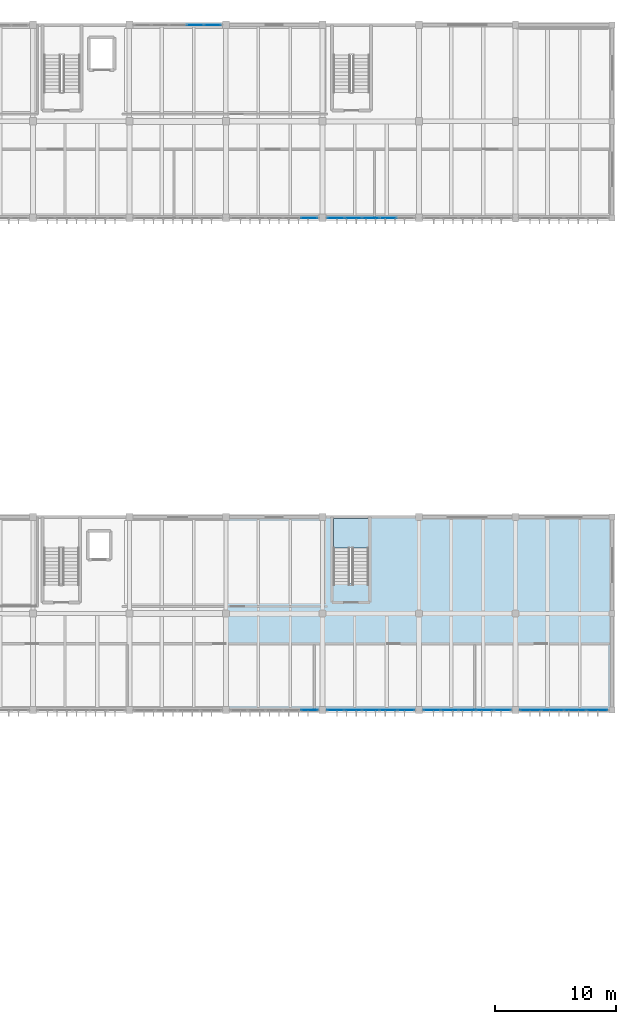
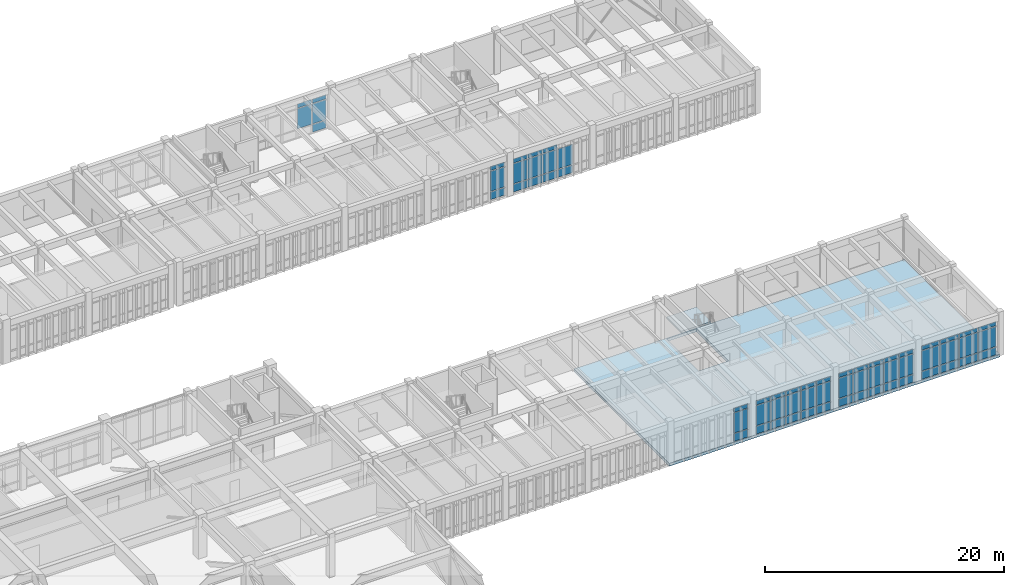
# One storey, part 44 of 79: 64 plates, 2 slabs, 8 elements without a shape of their own.
"""IFC4 building model written with IfcOpenShell, lengths in metres."""

from ifc_helpers import new_model, si_unit, direction, frame, origin, origin_2d, place, context, subcontext, project, spatial, polyline, rectangle, outline, extrude, material, layer, layer_set, type_object, element, aggregate, save


model = new_model("IFC4")

# Units and contexts
model_context = context("Model", 3, precision=1e-05, world=origin(), true_north=direction((0.0, 1.0)))
body_context = subcontext(model_context, "Body", "Model", "MODEL_VIEW")
ifc_project = project(units=[si_unit("LENGTHUNIT", "METRE"), si_unit("AREAUNIT", "SQUARE_METRE"), si_unit("VOLUMEUNIT", "CUBIC_METRE"), si_unit("PLANEANGLEUNIT", "RADIAN"), si_unit("MASSUNIT", "GRAM", prefix="KILO")], contexts=[model_context])

# Site, building, storey
site_placement = place(None, origin())
site = spatial("IfcSite", under=ifc_project, at=site_placement, CompositionType="ELEMENT")
building_placement = place(site_placement, origin())
building = spatial("IfcBuilding", under=site, at=building_placement, Name="Tlaxcora Railside Police Headquarters", CompositionType="ELEMENT")
storey_placement = place(building_placement, frame((0.0, 0.0, 9.0)))
storey = spatial("IfcBuildingStorey", under=building, at=storey_placement, Name="L02", CompositionType="ELEMENT", Elevation=9.0)

# Curtain wall, plates
ifc_material_1 = material(Name="Thermally broken low-E insulated glazing", Category="glass")
curtain_wall_type_1 = type_object("IfcCurtainWallType", Name="Unitised Curtain Wall Assembly CW-23", PredefinedType="NOTDEFINED", material=ifc_material_1)
curtain_wall_1_placement = place(storey_placement, origin())
curtain_wall_1 = element("IfcCurtainWall", 1, at=curtain_wall_1_placement, inside=storey, type_object=curtain_wall_type_1, Name="V6 L02 curtain wall 156", PredefinedType="NOTDEFINED")
ifc_layer_1 = layer(ifc_material_1, 0.0400390625, Name="Thermally broken low-E insulated glazing")
ifc_layer_set_1 = layer_set([ifc_layer_1], Name="Thermally broken low-E insulated glazing")
plate_type_1 = type_object("IfcPlateType", Name="Curtain Wall Infill Panel CW-17", PredefinedType="CURTAIN_PANEL", material=ifc_layer_set_1)
plate_1_placement = place(storey_placement, frame((133.699951171875, 76.800048828125, 0.080078125), z_axis=(0.0, 0.0, 1.0), x_axis=(1.0, 0.0, 0.0)))
plate_1 = element("IfcPlate", 2, at=plate_1_placement, type_object=plate_type_1, Name="CW panel 5.1", PredefinedType="CURTAIN_PANEL", context=body_context, shape_type="SweptSolid", body=[
    extrude(rectangle(XDim=1.340087890625, YDim=0.0400390625, at=origin_2d()), origin(), (0.0, 0.0, 1.0), 0.780029296875),
])
plate_2_placement = place(storey_placement, frame((133.699951171875, 76.800048828125, 0.93994140625), z_axis=(0.0, 0.0, 1.0), x_axis=(1.0, 0.0, 0.0)))
plate_2 = element("IfcPlate", 3, at=plate_2_placement, type_object=plate_type_1, Name="CW panel 5.2", PredefinedType="CURTAIN_PANEL", context=body_context, shape_type="SweptSolid", body=[
    extrude(rectangle(XDim=1.340087890625, YDim=0.0400390625, at=origin_2d()), origin(), (0.0, 0.0, 1.0), 2.0400390625),
])
plate_3_placement = place(storey_placement, frame((133.699951171875, 76.800048828125, 3.06005859375), z_axis=(0.0, 0.0, 1.0), x_axis=(1.0, 0.0, 0.0)))
plate_3 = element("IfcPlate", 4, at=plate_3_placement, type_object=plate_type_1, Name="CW panel 5.3", PredefinedType="CURTAIN_PANEL", context=body_context, shape_type="SweptSolid", body=[
    extrude(rectangle(XDim=1.340087890625, YDim=0.0400390625, at=origin_2d()), origin(), (0.0, 0.0, 1.0), 0.409912109375),
])
aggregate(curtain_wall_1, [plate_1, plate_2, plate_3])

curtain_wall_2_placement = place(storey_placement, origin())
curtain_wall_2 = element("IfcCurtainWall", 5, at=curtain_wall_2_placement, inside=storey, type_object=curtain_wall_type_1, Name="V6 L02 curtain wall 160", PredefinedType="NOTDEFINED")
plate_4_placement = place(storey_placement, frame((125.699951171875, 92.800048828125, 0.080078125), z_axis=(0.0, 0.0, 1.0), x_axis=(-1.0, 0.0, 0.0)))
plate_4 = element("IfcPlate", 6, at=plate_4_placement, type_object=plate_type_1, Name="CW panel 1.1", PredefinedType="CURTAIN_PANEL", context=body_context, shape_type="SweptSolid", body=[
    extrude(rectangle(XDim=1.340087890625, YDim=0.0400390625, at=origin_2d()), origin(), (0.0, 0.0, 1.0), 0.780029296875),
])
plate_5_placement = place(storey_placement, frame((125.699951171875, 92.800048828125, 0.93994140625), z_axis=(0.0, 0.0, 1.0), x_axis=(-1.0, 0.0, 0.0)))
plate_5 = element("IfcPlate", 7, at=plate_5_placement, type_object=plate_type_1, Name="CW panel 1.2", PredefinedType="CURTAIN_PANEL", context=body_context, shape_type="SweptSolid", body=[
    extrude(rectangle(XDim=1.340087890625, YDim=0.0400390625, at=origin_2d()), origin(), (0.0, 0.0, 1.0), 2.0400390625),
])
plate_6_placement = place(storey_placement, frame((125.699951171875, 92.800048828125, 3.06005859375), z_axis=(0.0, 0.0, 1.0), x_axis=(-1.0, 0.0, 0.0)))
plate_6 = element("IfcPlate", 8, at=plate_6_placement, type_object=plate_type_1, Name="CW panel 1.3", PredefinedType="CURTAIN_PANEL", context=body_context, shape_type="SweptSolid", body=[
    extrude(rectangle(XDim=1.340087890625, YDim=0.0400390625, at=origin_2d()), origin(), (0.0, 0.0, 1.0), 0.409912109375),
])
plate_7_placement = place(storey_placement, frame((124.260009765625, 92.800048828125, 0.93994140625), z_axis=(0.0, 0.0, 1.0), x_axis=(-1.0, 0.0, 0.0)))
plate_7 = element("IfcPlate", 9, at=plate_7_placement, type_object=plate_type_1, Name="CW panel 2.2", PredefinedType="CURTAIN_PANEL", context=body_context, shape_type="SweptSolid", body=[
    extrude(rectangle(XDim=1.3798828125, YDim=0.0400390625, at=origin_2d()), origin(), (0.0, 0.0, 1.0), 2.0400390625),
])
plate_8_placement = place(storey_placement, frame((124.260009765625, 92.800048828125, 3.06005859375), z_axis=(0.0, 0.0, 1.0), x_axis=(-1.0, 0.0, 0.0)))
plate_8 = element("IfcPlate", 10, at=plate_8_placement, type_object=plate_type_1, Name="CW panel 2.3", PredefinedType="CURTAIN_PANEL", context=body_context, shape_type="SweptSolid", body=[
    extrude(rectangle(XDim=1.3798828125, YDim=0.0400390625, at=origin_2d()), origin(), (0.0, 0.0, 1.0), 0.409912109375),
])
aggregate(curtain_wall_2, [plate_4, plate_5, plate_6, plate_7, plate_8])

curtain_wall_3_placement = place(storey_placement, origin())
curtain_wall_3 = element("IfcCurtainWall", 11, at=curtain_wall_3_placement, inside=storey, type_object=curtain_wall_type_1, Name="V7 L02 curtain wall 180", PredefinedType="NOTDEFINED")
plate_9_placement = place(storey_placement, frame((133.719970703125, 36.0, 0.080078125), z_axis=(0.0, 0.0, 1.0), x_axis=(1.0, 0.0, 0.0)))
plate_9 = element("IfcPlate", 12, at=plate_9_placement, type_object=plate_type_1, Name="CW panel 5.1", PredefinedType="CURTAIN_PANEL", context=body_context, shape_type="SweptSolid", body=[
    extrude(rectangle(XDim=1.35009765625, YDim=0.0400390625, at=origin_2d()), origin(), (0.0, 0.0, 1.0), 0.780029296875),
])
plate_10_placement = place(storey_placement, frame((133.719970703125, 36.0, 0.93994140625), z_axis=(0.0, 0.0, 1.0), x_axis=(1.0, 0.0, 0.0)))
plate_10 = element("IfcPlate", 13, at=plate_10_placement, type_object=plate_type_1, Name="CW panel 5.2", PredefinedType="CURTAIN_PANEL", context=body_context, shape_type="SweptSolid", body=[
    extrude(rectangle(XDim=1.35009765625, YDim=0.0400390625, at=origin_2d()), origin(), (0.0, 0.0, 1.0), 2.0400390625),
])
plate_11_placement = place(storey_placement, frame((133.719970703125, 36.0, 3.06005859375), z_axis=(0.0, 0.0, 1.0), x_axis=(1.0, 0.0, 0.0)))
plate_11 = element("IfcPlate", 14, at=plate_11_placement, type_object=plate_type_1, Name="CW panel 5.3", PredefinedType="CURTAIN_PANEL", context=body_context, shape_type="SweptSolid", body=[
    extrude(rectangle(XDim=1.35009765625, YDim=0.0400390625, at=origin_2d()), origin(), (0.0, 0.0, 1.0), 0.409912109375),
])
aggregate(curtain_wall_3, [plate_9, plate_10, plate_11])

curtain_wall_type_2 = type_object("IfcCurtainWallType", Name="Unitised Curtain Wall Assembly CW-15", PredefinedType="NOTDEFINED", material=ifc_material_1)
curtain_wall_4_placement = place(storey_placement, origin())
curtain_wall_4 = element("IfcCurtainWall", 15, at=curtain_wall_4_placement, inside=storey, type_object=curtain_wall_type_2, Name="V7 L02 curtain wall 182", PredefinedType="NOTDEFINED")
ifc_layer_2 = layer(ifc_material_1, 0.031982421875, Name="Thermally broken low-E insulated glazing")
ifc_layer_set_2 = layer_set([ifc_layer_2], Name="Thermally broken low-E insulated glazing")
plate_type_2 = type_object("IfcPlateType", Name="Curtain Wall Infill Panel CW-41", PredefinedType="CURTAIN_PANEL", material=ifc_layer_set_2)
plate_12_placement = place(storey_placement, frame((143.878662109375, 36.0, 0.074951171875), z_axis=(0.0, 0.0, 1.0), x_axis=(1.0, 0.0, 0.0)))
plate_12 = element("IfcPlate", 16, at=plate_12_placement, type_object=plate_type_2, Name="CW panel 1.1", PredefinedType="CURTAIN_PANEL", context=body_context, shape_type="SweptSolid", body=[
    extrude(rectangle(XDim=1.357421875, YDim=0.031982421875, at=origin_2d()), origin(), (0.0, 0.0, 1.0), 0.78759765625),
])
plate_13_placement = place(storey_placement, frame((143.878662109375, 36.0, 0.9375), z_axis=(0.0, 0.0, 1.0), x_axis=(1.0, 0.0, 0.0)))
plate_13 = element("IfcPlate", 17, at=plate_13_placement, type_object=plate_type_2, Name="CW panel 1.2", PredefinedType="CURTAIN_PANEL", context=body_context, shape_type="SweptSolid", body=[
    extrude(rectangle(XDim=1.357421875, YDim=0.031982421875, at=origin_2d()), origin(), (0.0, 0.0, 1.0), 2.044921875),
])
plate_14_placement = place(storey_placement, frame((143.878662109375, 36.0, 3.0576171875), z_axis=(0.0, 0.0, 1.0), x_axis=(1.0, 0.0, 0.0)))
plate_14 = element("IfcPlate", 18, at=plate_14_placement, type_object=plate_type_2, Name="CW panel 1.3", PredefinedType="CURTAIN_PANEL", context=body_context, shape_type="SweptSolid", body=[
    extrude(rectangle(XDim=1.357421875, YDim=0.031982421875, at=origin_2d()), origin(), (0.0, 0.0, 1.0), 0.41748046875),
])
plate_15_placement = place(storey_placement, frame((145.330078125, 36.0, 0.074951171875), z_axis=(0.0, 0.0, 1.0), x_axis=(1.0, 0.0, 0.0)))
plate_15 = element("IfcPlate", 19, at=plate_15_placement, type_object=plate_type_2, Name="CW panel 2.1", PredefinedType="CURTAIN_PANEL", context=body_context, shape_type="SweptSolid", body=[
    extrude(rectangle(XDim=1.39501953125, YDim=0.031982421875, at=origin_2d()), origin(), (0.0, 0.0, 1.0), 0.78759765625),
])
plate_16_placement = place(storey_placement, frame((145.330078125, 36.0, 0.9375), z_axis=(0.0, 0.0, 1.0), x_axis=(1.0, 0.0, 0.0)))
plate_16 = element("IfcPlate", 20, at=plate_16_placement, type_object=plate_type_2, Name="CW panel 2.2", PredefinedType="CURTAIN_PANEL", context=body_context, shape_type="SweptSolid", body=[
    extrude(rectangle(XDim=1.39501953125, YDim=0.031982421875, at=origin_2d()), origin(), (0.0, 0.0, 1.0), 2.044921875),
])
plate_17_placement = place(storey_placement, frame((145.330078125, 36.0, 3.0576171875), z_axis=(0.0, 0.0, 1.0), x_axis=(1.0, 0.0, 0.0)))
plate_17 = element("IfcPlate", 21, at=plate_17_placement, type_object=plate_type_2, Name="CW panel 2.3", PredefinedType="CURTAIN_PANEL", context=body_context, shape_type="SweptSolid", body=[
    extrude(rectangle(XDim=1.39501953125, YDim=0.031982421875, at=origin_2d()), origin(), (0.0, 0.0, 1.0), 0.41748046875),
])
plate_18_placement = place(storey_placement, frame((146.800048828125, 36.0, 0.074951171875), z_axis=(0.0, 0.0, 1.0), x_axis=(1.0, 0.0, 0.0)))
plate_18 = element("IfcPlate", 22, at=plate_18_placement, type_object=plate_type_2, Name="CW panel 3.1", PredefinedType="CURTAIN_PANEL", context=body_context, shape_type="SweptSolid", body=[
    extrude(rectangle(XDim=1.39501953125, YDim=0.031982421875, at=origin_2d()), origin(), (0.0, 0.0, 1.0), 0.78759765625),
])
plate_19_placement = place(storey_placement, frame((146.800048828125, 36.0, 0.9375), z_axis=(0.0, 0.0, 1.0), x_axis=(1.0, 0.0, 0.0)))
plate_19 = element("IfcPlate", 23, at=plate_19_placement, type_object=plate_type_2, Name="CW panel 3.2", PredefinedType="CURTAIN_PANEL", context=body_context, shape_type="SweptSolid", body=[
    extrude(rectangle(XDim=1.39501953125, YDim=0.031982421875, at=origin_2d()), origin(), (0.0, 0.0, 1.0), 2.044921875),
])
plate_20_placement = place(storey_placement, frame((146.800048828125, 36.0, 3.0576171875), z_axis=(0.0, 0.0, 1.0), x_axis=(1.0, 0.0, 0.0)))
plate_20 = element("IfcPlate", 24, at=plate_20_placement, type_object=plate_type_2, Name="CW panel 3.3", PredefinedType="CURTAIN_PANEL", context=body_context, shape_type="SweptSolid", body=[
    extrude(rectangle(XDim=1.39501953125, YDim=0.031982421875, at=origin_2d()), origin(), (0.0, 0.0, 1.0), 0.41748046875),
])
plate_21_placement = place(storey_placement, frame((148.27001953125, 36.0, 0.074951171875), z_axis=(0.0, 0.0, 1.0), x_axis=(1.0, 0.0, 0.0)))
plate_21 = element("IfcPlate", 25, at=plate_21_placement, type_object=plate_type_2, Name="CW panel 4.1", PredefinedType="CURTAIN_PANEL", context=body_context, shape_type="SweptSolid", body=[
    extrude(rectangle(XDim=1.39501953125, YDim=0.031982421875, at=origin_2d()), origin(), (0.0, 0.0, 1.0), 0.78759765625),
])
plate_22_placement = place(storey_placement, frame((148.27001953125, 36.0, 0.9375), z_axis=(0.0, 0.0, 1.0), x_axis=(1.0, 0.0, 0.0)))
plate_22 = element("IfcPlate", 26, at=plate_22_placement, type_object=plate_type_2, Name="CW panel 4.2", PredefinedType="CURTAIN_PANEL", context=body_context, shape_type="SweptSolid", body=[
    extrude(rectangle(XDim=1.39501953125, YDim=0.031982421875, at=origin_2d()), origin(), (0.0, 0.0, 1.0), 2.044921875),
])
plate_23_placement = place(storey_placement, frame((148.27001953125, 36.0, 3.0576171875), z_axis=(0.0, 0.0, 1.0), x_axis=(1.0, 0.0, 0.0)))
plate_23 = element("IfcPlate", 27, at=plate_23_placement, type_object=plate_type_2, Name="CW panel 4.3", PredefinedType="CURTAIN_PANEL", context=body_context, shape_type="SweptSolid", body=[
    extrude(rectangle(XDim=1.39501953125, YDim=0.031982421875, at=origin_2d()), origin(), (0.0, 0.0, 1.0), 0.41748046875),
])
plate_24_placement = place(storey_placement, frame((149.72119140625, 36.0, 0.074951171875), z_axis=(0.0, 0.0, 1.0), x_axis=(1.0, 0.0, 0.0)))
plate_24 = element("IfcPlate", 28, at=plate_24_placement, type_object=plate_type_2, Name="CW panel 5.1", PredefinedType="CURTAIN_PANEL", context=body_context, shape_type="SweptSolid", body=[
    extrude(rectangle(XDim=1.357421875, YDim=0.031982421875, at=origin_2d()), origin(), (0.0, 0.0, 1.0), 0.78759765625),
])
plate_25_placement = place(storey_placement, frame((149.72119140625, 36.0, 0.9375), z_axis=(0.0, 0.0, 1.0), x_axis=(1.0, 0.0, 0.0)))
plate_25 = element("IfcPlate", 29, at=plate_25_placement, type_object=plate_type_2, Name="CW panel 5.2", PredefinedType="CURTAIN_PANEL", context=body_context, shape_type="SweptSolid", body=[
    extrude(rectangle(XDim=1.357421875, YDim=0.031982421875, at=origin_2d()), origin(), (0.0, 0.0, 1.0), 2.044921875),
])
plate_26_placement = place(storey_placement, frame((149.72119140625, 36.0, 3.0576171875), z_axis=(0.0, 0.0, 1.0), x_axis=(1.0, 0.0, 0.0)))
plate_26 = element("IfcPlate", 30, at=plate_26_placement, type_object=plate_type_2, Name="CW panel 5.3", PredefinedType="CURTAIN_PANEL", context=body_context, shape_type="SweptSolid", body=[
    extrude(rectangle(XDim=1.357421875, YDim=0.031982421875, at=origin_2d()), origin(), (0.0, 0.0, 1.0), 0.41748046875),
])
aggregate(curtain_wall_4, [plate_12, plate_13, plate_14, plate_15, plate_16, plate_17, plate_18, plate_19, plate_20, plate_21, plate_22, plate_23, plate_24, plate_25, plate_26])

curtain_wall_type_3 = type_object("IfcCurtainWallType", Name="Unitised Curtain Wall Assembly CW-83", PredefinedType="NOTDEFINED", material=ifc_material_1)
curtain_wall_5_placement = place(storey_placement, origin())
curtain_wall_5 = element("IfcCurtainWall", 31, at=curtain_wall_5_placement, inside=storey, type_object=curtain_wall_type_3, Name="V7 L02 curtain wall 183", PredefinedType="NOTDEFINED")
ifc_layer_3 = layer(ifc_material_1, 0.035888671875, Name="Thermally broken low-E insulated glazing")
ifc_layer_set_3 = layer_set([ifc_layer_3], Name="Thermally broken low-E insulated glazing")
plate_type_3 = type_object("IfcPlateType", Name="Curtain Wall Infill Panel CW-72", PredefinedType="CURTAIN_PANEL", material=ifc_layer_set_3)
plate_27_placement = place(storey_placement, frame((152.06689453125, 36.0, 0.080078125), z_axis=(0.0, 0.0, 1.0), x_axis=(1.0, 0.0, 0.0)))
plate_27 = element("IfcPlate", 32, at=plate_27_placement, type_object=plate_type_3, Name="CW panel 1.1", PredefinedType="CURTAIN_PANEL", context=body_context, shape_type="SweptSolid", body=[
    extrude(rectangle(XDim=1.7236328125, YDim=0.035888671875, at=origin_2d()), origin(), (0.0, 0.0, 1.0), 0.780029296875),
])
plate_28_placement = place(storey_placement, frame((152.06689453125, 36.0, 0.93994140625), z_axis=(0.0, 0.0, 1.0), x_axis=(1.0, 0.0, 0.0)))
plate_28 = element("IfcPlate", 33, at=plate_28_placement, type_object=plate_type_3, Name="CW panel 1.2", PredefinedType="CURTAIN_PANEL", context=body_context, shape_type="SweptSolid", body=[
    extrude(rectangle(XDim=1.7236328125, YDim=0.035888671875, at=origin_2d()), origin(), (0.0, 0.0, 1.0), 2.0400390625),
])
plate_29_placement = place(storey_placement, frame((152.06689453125, 36.0, 3.06005859375), z_axis=(0.0, 0.0, 1.0), x_axis=(1.0, 0.0, 0.0)))
plate_29 = element("IfcPlate", 34, at=plate_29_placement, type_object=plate_type_3, Name="CW panel 1.3", PredefinedType="CURTAIN_PANEL", context=body_context, shape_type="SweptSolid", body=[
    extrude(rectangle(XDim=1.7236328125, YDim=0.035888671875, at=origin_2d()), origin(), (0.0, 0.0, 1.0), 0.409912109375),
])
plate_30_placement = place(storey_placement, frame((153.890625, 36.0, 0.080078125), z_axis=(0.0, 0.0, 1.0), x_axis=(1.0, 0.0, 0.0)))
plate_30 = element("IfcPlate", 35, at=plate_30_placement, type_object=plate_type_3, Name="CW panel 2.1", PredefinedType="CURTAIN_PANEL", context=body_context, shape_type="SweptSolid", body=[
    extrude(rectangle(XDim=1.763671875, YDim=0.035888671875, at=origin_2d()), origin(), (0.0, 0.0, 1.0), 0.780029296875),
])
plate_31_placement = place(storey_placement, frame((153.890625, 36.0, 0.93994140625), z_axis=(0.0, 0.0, 1.0), x_axis=(1.0, 0.0, 0.0)))
plate_31 = element("IfcPlate", 36, at=plate_31_placement, type_object=plate_type_3, Name="CW panel 2.2", PredefinedType="CURTAIN_PANEL", context=body_context, shape_type="SweptSolid", body=[
    extrude(rectangle(XDim=1.763671875, YDim=0.035888671875, at=origin_2d()), origin(), (0.0, 0.0, 1.0), 2.0400390625),
])
plate_32_placement = place(storey_placement, frame((153.890625, 36.0, 3.06005859375), z_axis=(0.0, 0.0, 1.0), x_axis=(1.0, 0.0, 0.0)))
plate_32 = element("IfcPlate", 37, at=plate_32_placement, type_object=plate_type_3, Name="CW panel 2.3", PredefinedType="CURTAIN_PANEL", context=body_context, shape_type="SweptSolid", body=[
    extrude(rectangle(XDim=1.763671875, YDim=0.035888671875, at=origin_2d()), origin(), (0.0, 0.0, 1.0), 0.409912109375),
])
plate_33_placement = place(storey_placement, frame((155.734375, 36.0, 0.080078125), z_axis=(0.0, 0.0, 1.0), x_axis=(1.0, 0.0, 0.0)))
plate_33 = element("IfcPlate", 38, at=plate_33_placement, type_object=plate_type_3, Name="CW panel 3.1", PredefinedType="CURTAIN_PANEL", context=body_context, shape_type="SweptSolid", body=[
    extrude(rectangle(XDim=1.763671875, YDim=0.035888671875, at=origin_2d()), origin(), (0.0, 0.0, 1.0), 0.780029296875),
])
plate_34_placement = place(storey_placement, frame((155.734375, 36.0, 0.93994140625), z_axis=(0.0, 0.0, 1.0), x_axis=(1.0, 0.0, 0.0)))
plate_34 = element("IfcPlate", 39, at=plate_34_placement, type_object=plate_type_3, Name="CW panel 3.2", PredefinedType="CURTAIN_PANEL", context=body_context, shape_type="SweptSolid", body=[
    extrude(rectangle(XDim=1.763671875, YDim=0.035888671875, at=origin_2d()), origin(), (0.0, 0.0, 1.0), 2.0400390625),
])
plate_35_placement = place(storey_placement, frame((155.734375, 36.0, 3.06005859375), z_axis=(0.0, 0.0, 1.0), x_axis=(1.0, 0.0, 0.0)))
plate_35 = element("IfcPlate", 40, at=plate_35_placement, type_object=plate_type_3, Name="CW panel 3.3", PredefinedType="CURTAIN_PANEL", context=body_context, shape_type="SweptSolid", body=[
    extrude(rectangle(XDim=1.763671875, YDim=0.035888671875, at=origin_2d()), origin(), (0.0, 0.0, 1.0), 0.409912109375),
])
plate_36_placement = place(storey_placement, frame((157.55810546875, 36.0, 0.080078125), z_axis=(0.0, 0.0, 1.0), x_axis=(1.0, 0.0, 0.0)))
plate_36 = element("IfcPlate", 41, at=plate_36_placement, type_object=plate_type_3, Name="CW panel 4.1", PredefinedType="CURTAIN_PANEL", context=body_context, shape_type="SweptSolid", body=[
    extrude(rectangle(XDim=1.7236328125, YDim=0.035888671875, at=origin_2d()), origin(), (0.0, 0.0, 1.0), 0.780029296875),
])
plate_37_placement = place(storey_placement, frame((157.55810546875, 36.0, 0.93994140625), z_axis=(0.0, 0.0, 1.0), x_axis=(1.0, 0.0, 0.0)))
plate_37 = element("IfcPlate", 42, at=plate_37_placement, type_object=plate_type_3, Name="CW panel 4.2", PredefinedType="CURTAIN_PANEL", context=body_context, shape_type="SweptSolid", body=[
    extrude(rectangle(XDim=1.7236328125, YDim=0.035888671875, at=origin_2d()), origin(), (0.0, 0.0, 1.0), 2.0400390625),
])
plate_38_placement = place(storey_placement, frame((157.55810546875, 36.0, 3.06005859375), z_axis=(0.0, 0.0, 1.0), x_axis=(1.0, 0.0, 0.0)))
plate_38 = element("IfcPlate", 43, at=plate_38_placement, type_object=plate_type_3, Name="CW panel 4.3", PredefinedType="CURTAIN_PANEL", context=body_context, shape_type="SweptSolid", body=[
    extrude(rectangle(XDim=1.7236328125, YDim=0.035888671875, at=origin_2d()), origin(), (0.0, 0.0, 1.0), 0.409912109375),
])
aggregate(curtain_wall_5, [plate_27, plate_28, plate_29, plate_30, plate_31, plate_32, plate_33, plate_34, plate_35, plate_36, plate_37, plate_38])

curtain_wall_type_4 = type_object("IfcCurtainWallType", Name="Unitised Curtain Wall Assembly CW-38", PredefinedType="NOTDEFINED", material=ifc_material_1)
curtain_wall_6_placement = place(storey_placement, origin())
curtain_wall_6 = element("IfcCurtainWall", 44, at=curtain_wall_6_placement, inside=storey, type_object=curtain_wall_type_4, Name="V6 L02 curtain wall 157", PredefinedType="NOTDEFINED")
ifc_layer_4 = layer(ifc_material_1, 0.028076171875, Name="Thermally broken low-E insulated glazing")
ifc_layer_set_4 = layer_set([ifc_layer_4], Name="Thermally broken low-E insulated glazing")
plate_type_4 = type_object("IfcPlateType", Name="Curtain Wall Infill Panel CW-92", PredefinedType="CURTAIN_PANEL", material=ifc_layer_set_4)
plate_39_placement = place(storey_placement, frame((135.898681640625, 76.800048828125, 0.074951171875), z_axis=(0.0, 0.0, 1.0), x_axis=(1.0, 0.0, 0.0)))
plate_39 = element("IfcPlate", 45, at=plate_39_placement, type_object=plate_type_4, Name="CW panel 1.1", PredefinedType="CURTAIN_PANEL", context=body_context, shape_type="SweptSolid", body=[
    extrude(rectangle(XDim=1.347412109375, YDim=0.028076171875, at=origin_2d()), origin(), (0.0, 0.0, 1.0), 0.78759765625),
])
plate_40_placement = place(storey_placement, frame((135.898681640625, 76.800048828125, 0.9375), z_axis=(0.0, 0.0, 1.0), x_axis=(1.0, 0.0, 0.0)))
plate_40 = element("IfcPlate", 46, at=plate_40_placement, type_object=plate_type_4, Name="CW panel 1.2", PredefinedType="CURTAIN_PANEL", context=body_context, shape_type="SweptSolid", body=[
    extrude(rectangle(XDim=1.347412109375, YDim=0.028076171875, at=origin_2d()), origin(), (0.0, 0.0, 1.0), 2.044921875),
])
plate_41_placement = place(storey_placement, frame((135.898681640625, 76.800048828125, 3.0576171875), z_axis=(0.0, 0.0, 1.0), x_axis=(1.0, 0.0, 0.0)))
plate_41 = element("IfcPlate", 47, at=plate_41_placement, type_object=plate_type_4, Name="CW panel 1.3", PredefinedType="CURTAIN_PANEL", context=body_context, shape_type="SweptSolid", body=[
    extrude(rectangle(XDim=1.347412109375, YDim=0.028076171875, at=origin_2d()), origin(), (0.0, 0.0, 1.0), 0.41748046875),
])
plate_42_placement = place(storey_placement, frame((137.340087890625, 76.800048828125, 0.074951171875), z_axis=(0.0, 0.0, 1.0), x_axis=(1.0, 0.0, 0.0)))
plate_42 = element("IfcPlate", 48, at=plate_42_placement, type_object=plate_type_4, Name="CW panel 2.1", PredefinedType="CURTAIN_PANEL", context=body_context, shape_type="SweptSolid", body=[
    extrude(rectangle(XDim=1.385009765625, YDim=0.028076171875, at=origin_2d()), origin(), (0.0, 0.0, 1.0), 0.78759765625),
])
plate_43_placement = place(storey_placement, frame((137.340087890625, 76.800048828125, 0.9375), z_axis=(0.0, 0.0, 1.0), x_axis=(1.0, 0.0, 0.0)))
plate_43 = element("IfcPlate", 49, at=plate_43_placement, type_object=plate_type_4, Name="CW panel 2.2", PredefinedType="CURTAIN_PANEL", context=body_context, shape_type="SweptSolid", body=[
    extrude(rectangle(XDim=1.385009765625, YDim=0.028076171875, at=origin_2d()), origin(), (0.0, 0.0, 1.0), 2.044921875),
])
plate_44_placement = place(storey_placement, frame((137.340087890625, 76.800048828125, 3.0576171875), z_axis=(0.0, 0.0, 1.0), x_axis=(1.0, 0.0, 0.0)))
plate_44 = element("IfcPlate", 50, at=plate_44_placement, type_object=plate_type_4, Name="CW panel 2.3", PredefinedType="CURTAIN_PANEL", context=body_context, shape_type="SweptSolid", body=[
    extrude(rectangle(XDim=1.385009765625, YDim=0.028076171875, at=origin_2d()), origin(), (0.0, 0.0, 1.0), 0.41748046875),
])
plate_45_placement = place(storey_placement, frame((138.800048828125, 76.800048828125, 0.074951171875), z_axis=(0.0, 0.0, 1.0), x_axis=(1.0, 0.0, 0.0)))
plate_45 = element("IfcPlate", 51, at=plate_45_placement, type_object=plate_type_4, Name="CW panel 3.1", PredefinedType="CURTAIN_PANEL", context=body_context, shape_type="SweptSolid", body=[
    extrude(rectangle(XDim=1.385009765625, YDim=0.028076171875, at=origin_2d()), origin(), (0.0, 0.0, 1.0), 0.78759765625),
])
plate_46_placement = place(storey_placement, frame((138.800048828125, 76.800048828125, 0.9375), z_axis=(0.0, 0.0, 1.0), x_axis=(1.0, 0.0, 0.0)))
plate_46 = element("IfcPlate", 52, at=plate_46_placement, type_object=plate_type_4, Name="CW panel 3.2", PredefinedType="CURTAIN_PANEL", context=body_context, shape_type="SweptSolid", body=[
    extrude(rectangle(XDim=1.385009765625, YDim=0.028076171875, at=origin_2d()), origin(), (0.0, 0.0, 1.0), 2.044921875),
])
plate_47_placement = place(storey_placement, frame((138.800048828125, 76.800048828125, 3.0576171875), z_axis=(0.0, 0.0, 1.0), x_axis=(1.0, 0.0, 0.0)))
plate_47 = element("IfcPlate", 53, at=plate_47_placement, type_object=plate_type_4, Name="CW panel 3.3", PredefinedType="CURTAIN_PANEL", context=body_context, shape_type="SweptSolid", body=[
    extrude(rectangle(XDim=1.385009765625, YDim=0.028076171875, at=origin_2d()), origin(), (0.0, 0.0, 1.0), 0.41748046875),
])
plate_48_placement = place(storey_placement, frame((140.260009765625, 76.800048828125, 0.074951171875), z_axis=(0.0, 0.0, 1.0), x_axis=(1.0, 0.0, 0.0)))
plate_48 = element("IfcPlate", 54, at=plate_48_placement, type_object=plate_type_4, Name="CW panel 4.1", PredefinedType="CURTAIN_PANEL", context=body_context, shape_type="SweptSolid", body=[
    extrude(rectangle(XDim=1.385009765625, YDim=0.028076171875, at=origin_2d()), origin(), (0.0, 0.0, 1.0), 0.78759765625),
])
plate_49_placement = place(storey_placement, frame((140.260009765625, 76.800048828125, 0.9375), z_axis=(0.0, 0.0, 1.0), x_axis=(1.0, 0.0, 0.0)))
plate_49 = element("IfcPlate", 55, at=plate_49_placement, type_object=plate_type_4, Name="CW panel 4.2", PredefinedType="CURTAIN_PANEL", context=body_context, shape_type="SweptSolid", body=[
    extrude(rectangle(XDim=1.385009765625, YDim=0.028076171875, at=origin_2d()), origin(), (0.0, 0.0, 1.0), 2.044921875),
])
aggregate(curtain_wall_6, [plate_39, plate_40, plate_41, plate_42, plate_43, plate_44, plate_45, plate_46, plate_47, plate_48, plate_49])

curtain_wall_7_placement = place(storey_placement, origin())
curtain_wall_7 = element("IfcCurtainWall", 56, at=curtain_wall_7_placement, inside=storey, type_object=curtain_wall_type_4, Name="V7 L02 curtain wall 181", PredefinedType="NOTDEFINED")
plate_50_placement = place(storey_placement, frame((135.878662109375, 36.0, 0.074951171875), z_axis=(0.0, 0.0, 1.0), x_axis=(1.0, 0.0, 0.0)))
plate_50 = element("IfcPlate", 57, at=plate_50_placement, type_object=plate_type_4, Name="CW panel 1.1", PredefinedType="CURTAIN_PANEL", context=body_context, shape_type="SweptSolid", body=[
    extrude(rectangle(XDim=1.357421875, YDim=0.028076171875, at=origin_2d()), origin(), (0.0, 0.0, 1.0), 0.78759765625),
])
plate_51_placement = place(storey_placement, frame((135.878662109375, 36.0, 0.9375), z_axis=(0.0, 0.0, 1.0), x_axis=(1.0, 0.0, 0.0)))
plate_51 = element("IfcPlate", 58, at=plate_51_placement, type_object=plate_type_4, Name="CW panel 1.2", PredefinedType="CURTAIN_PANEL", context=body_context, shape_type="SweptSolid", body=[
    extrude(rectangle(XDim=1.357421875, YDim=0.028076171875, at=origin_2d()), origin(), (0.0, 0.0, 1.0), 2.044921875),
])
plate_52_placement = place(storey_placement, frame((135.878662109375, 36.0, 3.0576171875), z_axis=(0.0, 0.0, 1.0), x_axis=(1.0, 0.0, 0.0)))
plate_52 = element("IfcPlate", 59, at=plate_52_placement, type_object=plate_type_4, Name="CW panel 1.3", PredefinedType="CURTAIN_PANEL", context=body_context, shape_type="SweptSolid", body=[
    extrude(rectangle(XDim=1.357421875, YDim=0.028076171875, at=origin_2d()), origin(), (0.0, 0.0, 1.0), 0.41748046875),
])
plate_53_placement = place(storey_placement, frame((137.330078125, 36.0, 0.074951171875), z_axis=(0.0, 0.0, 1.0), x_axis=(1.0, 0.0, 0.0)))
plate_53 = element("IfcPlate", 60, at=plate_53_placement, type_object=plate_type_4, Name="CW panel 2.1", PredefinedType="CURTAIN_PANEL", context=body_context, shape_type="SweptSolid", body=[
    extrude(rectangle(XDim=1.39501953125, YDim=0.028076171875, at=origin_2d()), origin(), (0.0, 0.0, 1.0), 0.78759765625),
])
plate_54_placement = place(storey_placement, frame((137.330078125, 36.0, 0.9375), z_axis=(0.0, 0.0, 1.0), x_axis=(1.0, 0.0, 0.0)))
plate_54 = element("IfcPlate", 61, at=plate_54_placement, type_object=plate_type_4, Name="CW panel 2.2", PredefinedType="CURTAIN_PANEL", context=body_context, shape_type="SweptSolid", body=[
    extrude(rectangle(XDim=1.39501953125, YDim=0.028076171875, at=origin_2d()), origin(), (0.0, 0.0, 1.0), 2.044921875),
])
plate_55_placement = place(storey_placement, frame((137.330078125, 36.0, 3.0576171875), z_axis=(0.0, 0.0, 1.0), x_axis=(1.0, 0.0, 0.0)))
plate_55 = element("IfcPlate", 62, at=plate_55_placement, type_object=plate_type_4, Name="CW panel 2.3", PredefinedType="CURTAIN_PANEL", context=body_context, shape_type="SweptSolid", body=[
    extrude(rectangle(XDim=1.39501953125, YDim=0.028076171875, at=origin_2d()), origin(), (0.0, 0.0, 1.0), 0.41748046875),
])
plate_56_placement = place(storey_placement, frame((138.800048828125, 36.0, 0.074951171875), z_axis=(0.0, 0.0, 1.0), x_axis=(1.0, 0.0, 0.0)))
plate_56 = element("IfcPlate", 63, at=plate_56_placement, type_object=plate_type_4, Name="CW panel 3.1", PredefinedType="CURTAIN_PANEL", context=body_context, shape_type="SweptSolid", body=[
    extrude(rectangle(XDim=1.39501953125, YDim=0.028076171875, at=origin_2d()), origin(), (0.0, 0.0, 1.0), 0.78759765625),
])
plate_57_placement = place(storey_placement, frame((138.800048828125, 36.0, 0.9375), z_axis=(0.0, 0.0, 1.0), x_axis=(1.0, 0.0, 0.0)))
plate_57 = element("IfcPlate", 64, at=plate_57_placement, type_object=plate_type_4, Name="CW panel 3.2", PredefinedType="CURTAIN_PANEL", context=body_context, shape_type="SweptSolid", body=[
    extrude(rectangle(XDim=1.39501953125, YDim=0.028076171875, at=origin_2d()), origin(), (0.0, 0.0, 1.0), 2.044921875),
])
plate_58_placement = place(storey_placement, frame((138.800048828125, 36.0, 3.0576171875), z_axis=(0.0, 0.0, 1.0), x_axis=(1.0, 0.0, 0.0)))
plate_58 = element("IfcPlate", 65, at=plate_58_placement, type_object=plate_type_4, Name="CW panel 3.3", PredefinedType="CURTAIN_PANEL", context=body_context, shape_type="SweptSolid", body=[
    extrude(rectangle(XDim=1.39501953125, YDim=0.028076171875, at=origin_2d()), origin(), (0.0, 0.0, 1.0), 0.41748046875),
])
plate_59_placement = place(storey_placement, frame((140.27001953125, 36.0, 0.074951171875), z_axis=(0.0, 0.0, 1.0), x_axis=(1.0, 0.0, 0.0)))
plate_59 = element("IfcPlate", 66, at=plate_59_placement, type_object=plate_type_4, Name="CW panel 4.1", PredefinedType="CURTAIN_PANEL", context=body_context, shape_type="SweptSolid", body=[
    extrude(rectangle(XDim=1.39501953125, YDim=0.028076171875, at=origin_2d()), origin(), (0.0, 0.0, 1.0), 0.78759765625),
])
plate_60_placement = place(storey_placement, frame((140.27001953125, 36.0, 0.9375), z_axis=(0.0, 0.0, 1.0), x_axis=(1.0, 0.0, 0.0)))
plate_60 = element("IfcPlate", 67, at=plate_60_placement, type_object=plate_type_4, Name="CW panel 4.2", PredefinedType="CURTAIN_PANEL", context=body_context, shape_type="SweptSolid", body=[
    extrude(rectangle(XDim=1.39501953125, YDim=0.028076171875, at=origin_2d()), origin(), (0.0, 0.0, 1.0), 2.044921875),
])
plate_61_placement = place(storey_placement, frame((140.27001953125, 36.0, 3.0576171875), z_axis=(0.0, 0.0, 1.0), x_axis=(1.0, 0.0, 0.0)))
plate_61 = element("IfcPlate", 68, at=plate_61_placement, type_object=plate_type_4, Name="CW panel 4.3", PredefinedType="CURTAIN_PANEL", context=body_context, shape_type="SweptSolid", body=[
    extrude(rectangle(XDim=1.39501953125, YDim=0.028076171875, at=origin_2d()), origin(), (0.0, 0.0, 1.0), 0.41748046875),
])
plate_62_placement = place(storey_placement, frame((141.72119140625, 36.0, 0.074951171875), z_axis=(0.0, 0.0, 1.0), x_axis=(1.0, 0.0, 0.0)))
plate_62 = element("IfcPlate", 69, at=plate_62_placement, type_object=plate_type_4, Name="CW panel 5.1", PredefinedType="CURTAIN_PANEL", context=body_context, shape_type="SweptSolid", body=[
    extrude(rectangle(XDim=1.357421875, YDim=0.028076171875, at=origin_2d()), origin(), (0.0, 0.0, 1.0), 0.78759765625),
])
plate_63_placement = place(storey_placement, frame((141.72119140625, 36.0, 0.9375), z_axis=(0.0, 0.0, 1.0), x_axis=(1.0, 0.0, 0.0)))
plate_63 = element("IfcPlate", 70, at=plate_63_placement, type_object=plate_type_4, Name="CW panel 5.2", PredefinedType="CURTAIN_PANEL", context=body_context, shape_type="SweptSolid", body=[
    extrude(rectangle(XDim=1.357421875, YDim=0.028076171875, at=origin_2d()), origin(), (0.0, 0.0, 1.0), 2.044921875),
])
plate_64_placement = place(storey_placement, frame((141.72119140625, 36.0, 3.0576171875), z_axis=(0.0, 0.0, 1.0), x_axis=(1.0, 0.0, 0.0)))
plate_64 = element("IfcPlate", 71, at=plate_64_placement, type_object=plate_type_4, Name="CW panel 5.3", PredefinedType="CURTAIN_PANEL", context=body_context, shape_type="SweptSolid", body=[
    extrude(rectangle(XDim=1.357421875, YDim=0.028076171875, at=origin_2d()), origin(), (0.0, 0.0, 1.0), 0.41748046875),
])
aggregate(curtain_wall_7, [plate_50, plate_51, plate_52, plate_53, plate_54, plate_55, plate_56, plate_57, plate_58, plate_59, plate_60, plate_61, plate_62, plate_63, plate_64])

# Stair, slab
ifc_material_2 = material(Name="Concrete C40/50", Category="concrete")
stair_type = type_object("IfcStairType", Name="Half-Turn Dog-Leg Stair ST-97", PredefinedType="HALF_TURN_STAIR", material=ifc_material_2)
stair_placement = place(storey_placement, origin())
stair = element("IfcStair", 72, at=stair_placement, inside=storey, type_object=stair_type, Name="L02 ST11", PredefinedType="HALF_TURN_STAIR")
ifc_material_3 = material(Name="Concrete C35/45", Category="concrete")
ifc_layer_5 = layer(ifc_material_3, 0.199951171875, Name="Concrete C35/45")
ifc_layer_set_5 = layer_set([ifc_layer_5], Name="Concrete C35/45")
slab_type_1 = type_object("IfcSlabType", Name="Stair Landing Slab SL-23", PredefinedType="LANDING", material=ifc_layer_set_5)
slab_1_placement = place(storey_placement, frame((0.0, 0.0, 2.050048828125)))
slab_1 = element("IfcSlab", 73, at=slab_1_placement, type_object=slab_type_1, Name="ST11 landing 1", PredefinedType="LANDING", context=body_context, shape_type="SweptSolid", body=[
    extrude(outline(polyline([(138.610107421875, 49.43994140625), (138.610107421875, 51.889892578125), (135.7099609375, 51.889892578125), (135.7099609375, 49.43994140625), (138.610107421875, 49.43994140625)])), origin(), (0.0, 0.0, 1.0), 0.199951171875),
])
aggregate(stair, [slab_1])

# Slab
ifc_layer_6 = layer(ifc_material_3, 0.2900390625, Name="Concrete C35/45")
ifc_layer_set_6 = layer_set([ifc_layer_6], Name="Concrete C35/45")
slab_type_2 = type_object("IfcSlabType", Name="Suspended Floor Slab SL-86", PredefinedType="FLOOR", material=ifc_layer_set_6)
slab_2_placement = place(storey_placement, frame((0.0, 0.0, -0.2900390625)))
element("IfcSlab", 74, at=slab_2_placement, inside=storey, type_object=slab_type_2, Name="V7 L02 floor slab zone 2", PredefinedType="FLOOR", context=body_context, shape_type="SweptSolid", body=[
    extrude(outline(polyline([(158.800048828125, 52.0), (126.800048828125, 52.0), (126.800048828125, 36.0), (158.800048828125, 36.0), (158.800048828125, 52.0)]), holes=[polyline([(138.610107421875, 46.5), (135.7099609375, 46.5), (135.7099609375, 51.889892578125), (138.610107421875, 51.889892578125), (138.610107421875, 46.5)])]), origin(), (0.0, 0.0, 1.0), 0.2900390625),
])

save(model, "model.ifc")
